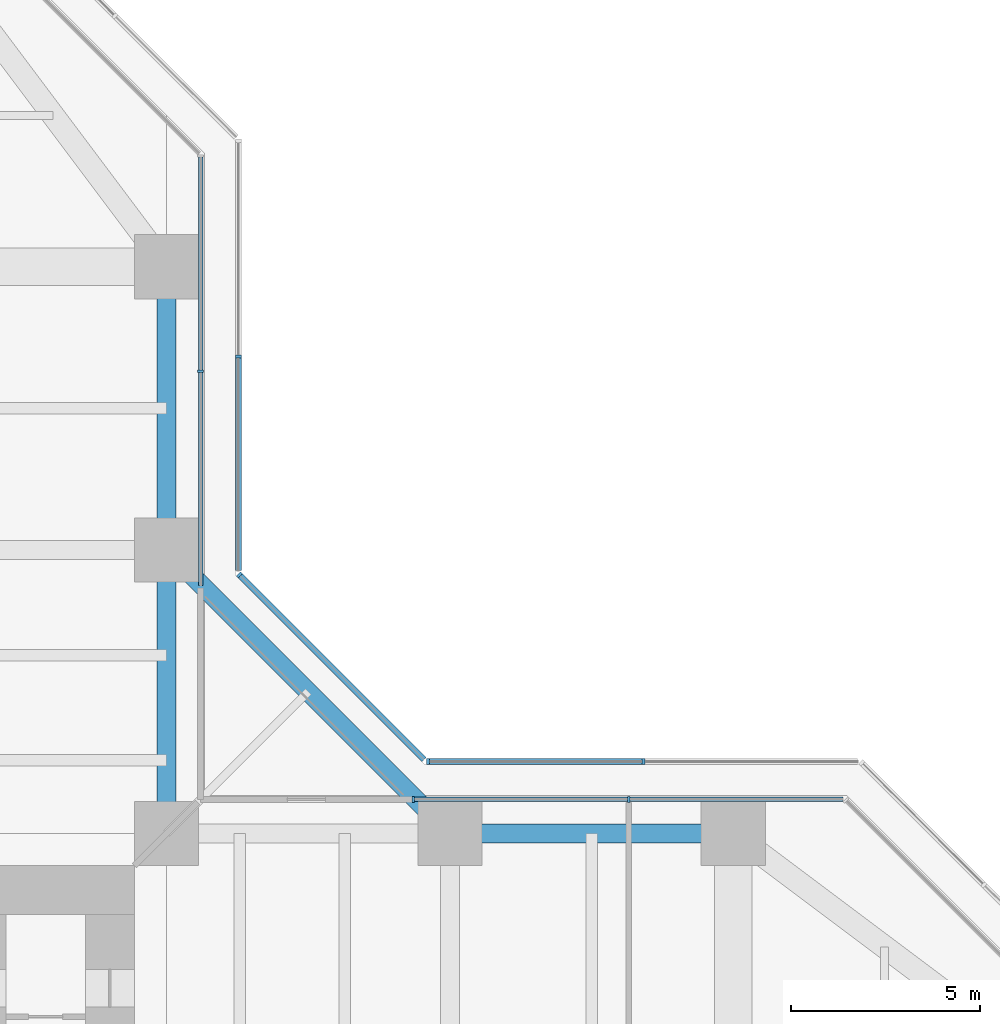
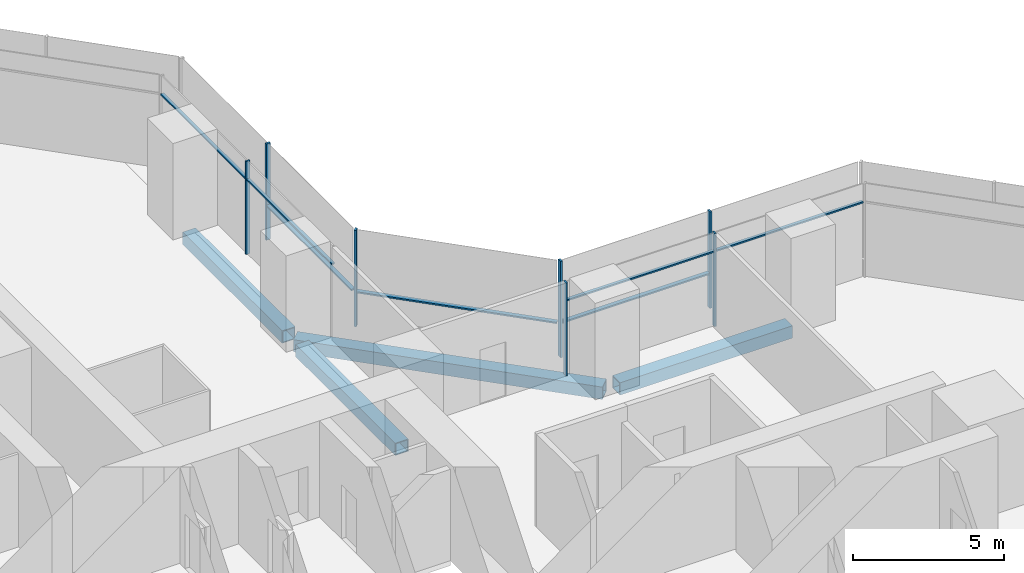
# One storey, part 11 of 22: 14 members, 4 beams, 5 elements without a shape of their own.
"""IFC4 building model written with IfcOpenShell, lengths in metres."""

from ifc_helpers import new_model, si_unit, direction, frame, origin, origin_2d, place, context, subcontext, project, spatial, rectangle, hollow_rectangle, extrude, material, material_profile, profile_set, type_object, element, aggregate, save


model = new_model("IFC4")

# Units and contexts
model_context = context("Model", 3, precision=1e-05, world=origin(), true_north=direction((0.0, 1.0)))
body_context = subcontext(model_context, "Body", "Model", "MODEL_VIEW")
ifc_project = project(units=[si_unit("LENGTHUNIT", "METRE"), si_unit("AREAUNIT", "SQUARE_METRE"), si_unit("VOLUMEUNIT", "CUBIC_METRE"), si_unit("PLANEANGLEUNIT", "RADIAN"), si_unit("MASSUNIT", "GRAM", prefix="KILO")], contexts=[model_context])

# Site, building, storey
site_placement = place(None, origin())
site = spatial("IfcSite", under=ifc_project, at=site_placement, CompositionType="ELEMENT")
building_placement = place(site_placement, origin())
building = spatial("IfcBuilding", under=site, at=building_placement, Name="Mizan Broadcast Tower", CompositionType="ELEMENT")
storey_placement = place(building_placement, frame((0.0, 0.0, 55.199951171875)))
storey = spatial("IfcBuildingStorey", under=building, at=storey_placement, Name="L10", CompositionType="ELEMENT", Elevation=55.199951171875)

# Beams
ifc_material_1 = material(Name="Steel S355", Category="steel")
ifc_material_profile_1 = material_profile(ifc_material_1, hollow_rectangle(XDim=0.5, YDim=0.5, WallThickness=0.030029296875, at=origin_2d()), Name="BOX 500x500x30")
ifc_profile_set_1 = profile_set([ifc_material_profile_1], Name="Steel S355")
beam_type = type_object("IfcBeamType", Name="EDGE BEAM BOX 500x500x30", PredefinedType="SPANDREL", material=ifc_profile_set_1)
for number, where, z_axis, x_axis, name in (
    (1, (19.949951171875, 12.0, -0.3798828125), (1.0, 0.0, 0.0), (0.0, 1.0, 0.0), "Edge beam BOX 500x500x30 L10 east arm"),
    (2, (12.0, 12.449951171875, -0.3798828125), (0.0, 1.0, 0.0), (-1.0, 0.0, 0.0), "Edge beam BOX 500x500x30 L10 north arm"),
    (3, (12.0, 19.949951171875, -0.3798828125), (0.0, 1.0, 0.0), (-1.0, 0.0, 0.0), "Edge beam BOX 500x500x30 L10 north arm"),
):
    element("IfcBeam", number, at=place(storey_placement, frame(where, z_axis=z_axis, x_axis=x_axis)), inside=storey, type_object=beam_type, Name=name, PredefinedType="SPANDREL", context=body_context, shape_type="SweptSolid", body=[
        extrude(hollow_rectangle(XDim=0.5, YDim=0.5, WallThickness=0.030029296875, at=origin_2d()), origin(), (0.0, 0.0, 1.0), 6.60009765625),
    ])
beam_placement = place(storey_placement, frame((19.5, 12.0, -0.3798828125), z_axis=(-0.707106781187, 0.707106781187, 0.0), x_axis=(-0.707106781187, -0.707106781187, 0.0)))
element("IfcBeam", 4, at=beam_placement, inside=storey, type_object=beam_type, Name="Winter garden edge beam L10 E", PredefinedType="SPANDREL", context=body_context, shape_type="SweptSolid", body=[
    extrude(hollow_rectangle(XDim=0.5, YDim=0.5, WallThickness=0.030029296875, at=origin_2d()), origin(), (0.0, 0.0, 1.0), 10.606689453125),
])

# Curtain wall, members
ifc_material_2 = material(Name="Aluminium framed glazing", Category="aluminium")
curtain_wall_type_1 = type_object("IfcCurtainWallType", Name="INNER SKIN LOW ZONE", PredefinedType="USERDEFINED", material=ifc_material_2)
curtain_wall_1_placement = place(storey_placement, origin())
curtain_wall_1 = element("IfcCurtainWall", 5, at=curtain_wall_1_placement, inside=storey, type_object=curtain_wall_type_1, Name="Inner skin low zone L10 E side", ObjectType="INNER SKIN LOW ZONE", PredefinedType="USERDEFINED")
ifc_material_3 = material(Name="Aluminium, pale anodised", Category="aluminium")
ifc_material_profile_2 = material_profile(ifc_material_3, rectangle(XDim=0.159912109375, YDim=0.06005859375, at=origin_2d()), Name="MULLION 160x60")
ifc_profile_set_2 = profile_set([ifc_material_profile_2], Name="Aluminium, pale anodised")
member_type_1 = type_object("IfcMemberType", Name="INNER SKIN MULLION 60x160", PredefinedType="MULLION", material=ifc_profile_set_2)
member_1_placement = place(storey_placement, frame((24.229248046875, 12.89990234375, 0.0), z_axis=(0.0, 0.0, 1.0), x_axis=(0.0, -1.0, 0.0)))
member_1 = element("IfcMember", 6, at=member_1_placement, type_object=member_type_1, Name="Inner skin low zone L10 E side mullion 2", PredefinedType="MULLION", context=body_context, shape_type="SweptSolid", body=[
    extrude(rectangle(XDim=0.159912109375, YDim=0.06005859375, at=origin_2d()), origin(), (0.0, 0.0, 1.0), 3.77001953125),
])
member_2_placement = place(storey_placement, frame((18.530029296875, 12.89990234375, 0.0), z_axis=(0.0, 0.0, 1.0), x_axis=(0.0, -1.0, 0.0)))
member_2 = element("IfcMember", 7, at=member_2_placement, type_object=member_type_1, Name="Inner skin low zone L10 E side mullion 3", PredefinedType="MULLION", context=body_context, shape_type="SweptSolid", body=[
    extrude(rectangle(XDim=0.159912109375, YDim=0.06005859375, at=origin_2d()), origin(), (0.0, 0.0, 1.0), 3.77001953125),
])

# Curtain wall, member
curtain_wall_2_placement = place(storey_placement, origin())
curtain_wall_2 = element("IfcCurtainWall", 8, at=curtain_wall_2_placement, inside=storey, type_object=curtain_wall_type_1, Name="Inner skin low zone L10 N side", ObjectType="INNER SKIN LOW ZONE", PredefinedType="USERDEFINED")
member_3_placement = place(storey_placement, frame((12.89990234375, 24.229248046875, 0.0), z_axis=(0.0, 0.0, 1.0), x_axis=(-1.0, 0.0, 0.0)))
member_3 = element("IfcMember", 9, at=member_3_placement, type_object=member_type_1, Name="Inner skin low zone L10 N side mullion 2", PredefinedType="MULLION", context=body_context, shape_type="SweptSolid", body=[
    extrude(rectangle(XDim=0.159912109375, YDim=0.06005859375, at=origin_2d()), origin(), (0.0, 0.0, 1.0), 3.77001953125),
])

# Member
ifc_material_4 = material(Name="Aluminium, pale anodised", Category="aluminium")
ifc_material_profile_3 = material_profile(ifc_material_4, rectangle(XDim=0.1201171875, YDim=0.06005859375, at=origin_2d()), Name="TRANSOM 120x60")
ifc_profile_set_3 = profile_set([ifc_material_profile_3], Name="Aluminium, pale anodised")
member_type_2 = type_object("IfcMemberType", Name="INNER SKIN TRANSOM 60x120", PredefinedType="USERDEFINED", material=ifc_profile_set_3)
member_4_placement = place(storey_placement, frame((29.898681640625, 12.89990234375, 3.030029296875), z_axis=(-1.0, 0.0, 0.0), x_axis=(0.0, -1.0, 0.0)))
member_4 = element("IfcMember", 10, at=member_4_placement, type_object=member_type_2, Name="Inner skin low zone L10 E side transom 1.1", ObjectType="TRANSOM", PredefinedType="USERDEFINED", context=body_context, shape_type="SweptSolid", body=[
    extrude(rectangle(XDim=0.1201171875, YDim=0.06005859375, at=origin_2d()), origin(), (0.0, 0.0, 1.0), 5.639404296875),
])

member_5_placement = place(storey_placement, frame((24.19921875, 12.89990234375, 3.030029296875), z_axis=(-1.0, 0.0, 0.0), x_axis=(0.0, -1.0, 0.0)))
member_5 = element("IfcMember", 11, at=member_5_placement, type_object=member_type_2, Name="Inner skin low zone L10 E side transom 2.1", ObjectType="TRANSOM", PredefinedType="USERDEFINED", context=body_context, shape_type="SweptSolid", body=[
    extrude(rectangle(XDim=0.1201171875, YDim=0.06005859375, at=origin_2d()), origin(), (0.0, 0.0, 1.0), 5.63916015625),
])

aggregate(curtain_wall_1, [member_1, member_2, member_4, member_5])

member_6_placement = place(storey_placement, frame((12.89990234375, 18.56005859375, 3.030029296875), z_axis=(0.0, 1.0, 0.0), x_axis=(-1.0, 0.0, 0.0)))
member_6 = element("IfcMember", 12, at=member_6_placement, type_object=member_type_2, Name="Inner skin low zone L10 N side transom 1.1", ObjectType="TRANSOM", PredefinedType="USERDEFINED", context=body_context, shape_type="SweptSolid", body=[
    extrude(rectangle(XDim=0.1201171875, YDim=0.06005859375, at=origin_2d()), origin(), (0.0, 0.0, 1.0), 5.63916015625),
])

member_7_placement = place(storey_placement, frame((12.89990234375, 24.25927734375, 3.030029296875), z_axis=(0.0, 1.0, 0.0), x_axis=(-1.0, 0.0, 0.0)))
member_7 = element("IfcMember", 13, at=member_7_placement, type_object=member_type_2, Name="Inner skin low zone L10 N side transom 2.1", ObjectType="TRANSOM", PredefinedType="USERDEFINED", context=body_context, shape_type="SweptSolid", body=[
    extrude(rectangle(XDim=0.1201171875, YDim=0.06005859375, at=origin_2d()), origin(), (0.0, 0.0, 1.0), 5.639404296875),
])

aggregate(curtain_wall_2, [member_3, member_6, member_7])

# Curtain wall, members
ifc_material_5 = material(Name="Aluminium framed glazing", Category="aluminium")
curtain_wall_type_2 = type_object("IfcCurtainWallType", Name="OUTER SKIN", PredefinedType="USERDEFINED", material=ifc_material_5)
curtain_wall_3_placement = place(storey_placement, origin())
curtain_wall_3 = element("IfcCurtainWall", 14, at=curtain_wall_3_placement, inside=storey, type_object=curtain_wall_type_2, Name="Outer skin L10 E side", ObjectType="OUTER SKIN", PredefinedType="USERDEFINED")
ifc_material_6 = material(Name="Aluminium, pale anodised", Category="aluminium")
ifc_material_profile_4 = material_profile(ifc_material_6, rectangle(XDim=0.159912109375, YDim=0.080078125, at=origin_2d()), Name="MULLION 160x80")
ifc_profile_set_4 = profile_set([ifc_material_profile_4], Name="Aluminium, pale anodised")
member_type_3 = type_object("IfcMemberType", Name="OUTER SKIN MULLION 80x160", PredefinedType="MULLION", material=ifc_profile_set_4)
member_8_placement = place(storey_placement, frame((24.622802734375, 13.89990234375, 0.0), z_axis=(0.0, 0.0, 1.0), x_axis=(0.0, -1.0, 0.0)))
member_8 = element("IfcMember", 15, at=member_8_placement, type_object=member_type_3, Name="Outer skin L10 E side mullion 2", PredefinedType="MULLION", context=body_context, shape_type="SweptSolid", body=[
    extrude(rectangle(XDim=0.159912109375, YDim=0.080078125, at=origin_2d()), origin(), (0.0, 0.0, 1.0), 3.900146484375),
])
member_9_placement = place(storey_placement, frame((18.912841796875, 13.89990234375, 0.0), z_axis=(0.0, 0.0, 1.0), x_axis=(0.0, -1.0, 0.0)))
member_9 = element("IfcMember", 16, at=member_9_placement, type_object=member_type_3, Name="Outer skin L10 E side mullion 3", PredefinedType="MULLION", context=body_context, shape_type="SweptSolid", body=[
    extrude(rectangle(XDim=0.159912109375, YDim=0.080078125, at=origin_2d()), origin(), (0.0, 0.0, 1.0), 3.900146484375),
])

# Curtain wall, member
curtain_wall_4_placement = place(storey_placement, origin())
curtain_wall_4 = element("IfcCurtainWall", 17, at=curtain_wall_4_placement, inside=storey, type_object=curtain_wall_type_2, Name="Outer skin L10 E chamfer", ObjectType="OUTER SKIN", PredefinedType="USERDEFINED")
member_10_placement = place(storey_placement, frame((13.92822265625, 18.844482421875, 0.0), z_axis=(0.0, 0.0, 1.0), x_axis=(-0.707106781187, -0.707106781187, 0.0)))
member_10 = element("IfcMember", 18, at=member_10_placement, type_object=member_type_3, Name="Outer skin L10 E chamfer mullion 2", PredefinedType="MULLION", context=body_context, shape_type="SweptSolid", body=[
    extrude(rectangle(XDim=0.159912109375, YDim=0.080078125, at=origin_2d()), origin(), (0.0, 0.0, 1.0), 3.900146484375),
])

curtain_wall_5_placement = place(storey_placement, origin())
curtain_wall_5 = element("IfcCurtainWall", 19, at=curtain_wall_5_placement, inside=storey, type_object=curtain_wall_type_2, Name="Outer skin L10 N side", ObjectType="OUTER SKIN", PredefinedType="USERDEFINED")
member_11_placement = place(storey_placement, frame((13.89990234375, 24.622802734375, 0.0), z_axis=(0.0, 0.0, 1.0), x_axis=(-1.0, 0.0, 0.0)))
member_11 = element("IfcMember", 20, at=member_11_placement, type_object=member_type_3, Name="Outer skin L10 N side mullion 2", PredefinedType="MULLION", context=body_context, shape_type="SweptSolid", body=[
    extrude(rectangle(XDim=0.159912109375, YDim=0.080078125, at=origin_2d()), origin(), (0.0, 0.0, 1.0), 3.900146484375),
])

# Member
ifc_material_7 = material(Name="Aluminium, pale anodised", Category="aluminium")
ifc_material_profile_5 = material_profile(ifc_material_7, rectangle(XDim=0.159912109375, YDim=0.06005859375, at=origin_2d()), Name="TRANSOM 160x60")
ifc_profile_set_5 = profile_set([ifc_material_profile_5], Name="Aluminium, pale anodised")
member_type_4 = type_object("IfcMemberType", Name="OUTER SKIN TRANSOM 60x160", PredefinedType="USERDEFINED", material=ifc_profile_set_5)
member_12_placement = place(storey_placement, frame((24.582763671875, 13.89990234375, 1.400146484375), z_axis=(-1.0, 0.0, 0.0), x_axis=(0.0, -1.0, 0.0)))
member_12 = element("IfcMember", 21, at=member_12_placement, type_object=member_type_4, Name="Outer skin L10 E side transom 2.1", ObjectType="TRANSOM", PredefinedType="USERDEFINED", context=body_context, shape_type="SweptSolid", body=[
    extrude(rectangle(XDim=0.159912109375, YDim=0.06005859375, at=origin_2d()), origin(), (0.0, 0.0, 1.0), 5.6298828125),
])

aggregate(curtain_wall_3, [member_8, member_9, member_12])

member_13_placement = place(storey_placement, frame((18.816162109375, 13.95654296875, 1.400146484375), z_axis=(-0.707106781187, 0.707106781187, 0.0), x_axis=(-0.707106781187, -0.707106781187, 0.0)))
member_13 = element("IfcMember", 22, at=member_13_placement, type_object=member_type_4, Name="Outer skin L10 E chamfer transom 1.1", ObjectType="TRANSOM", PredefinedType="USERDEFINED", context=body_context, shape_type="SweptSolid", body=[
    extrude(rectangle(XDim=0.159912109375, YDim=0.06005859375, at=origin_2d()), origin(), (0.0, 0.0, 1.0), 6.87255859375),
])

aggregate(curtain_wall_4, [member_10, member_13])

member_14_placement = place(storey_placement, frame((13.89990234375, 18.952880859375, 1.400146484375), z_axis=(0.0, 1.0, 0.0), x_axis=(-1.0, 0.0, 0.0)))
member_14 = element("IfcMember", 23, at=member_14_placement, type_object=member_type_4, Name="Outer skin L10 N side transom 1.1", ObjectType="TRANSOM", PredefinedType="USERDEFINED", context=body_context, shape_type="SweptSolid", body=[
    extrude(rectangle(XDim=0.159912109375, YDim=0.06005859375, at=origin_2d()), origin(), (0.0, 0.0, 1.0), 5.6298828125),
])

aggregate(curtain_wall_5, [member_11, member_14])

save(model, "model.ifc")
